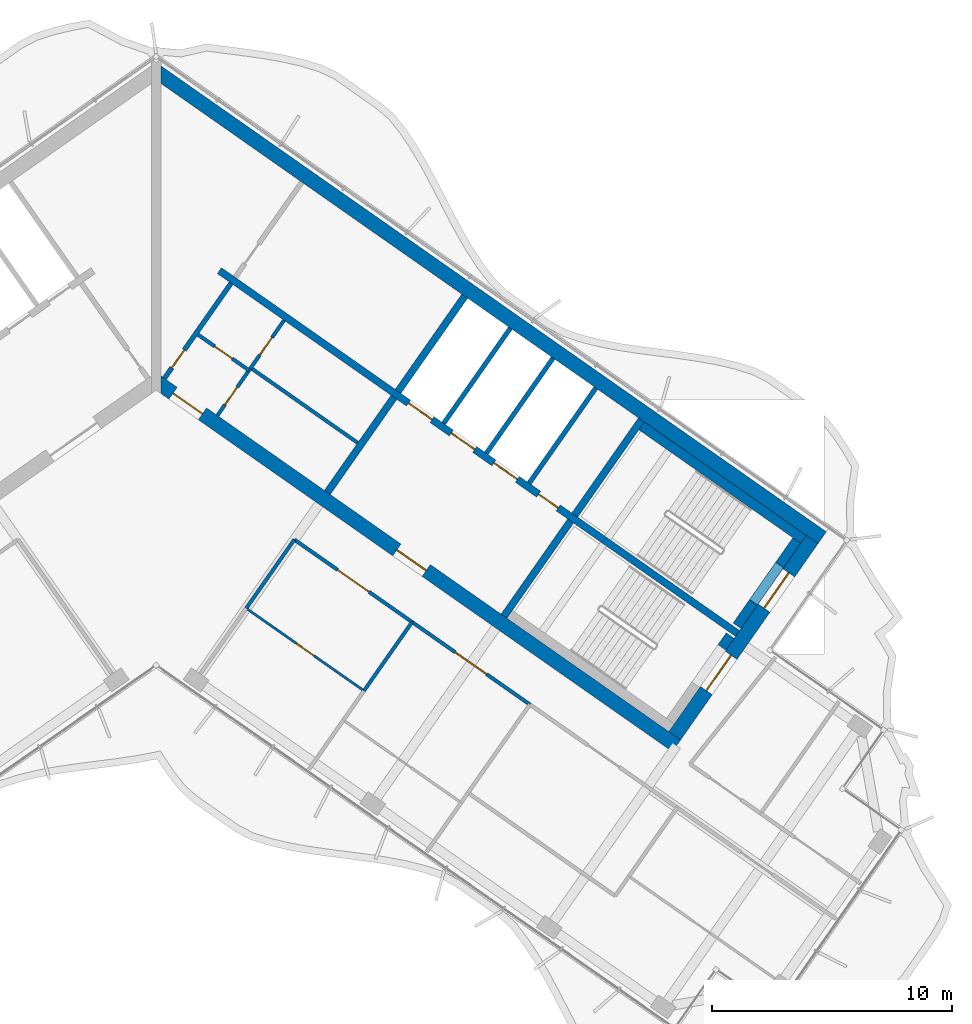
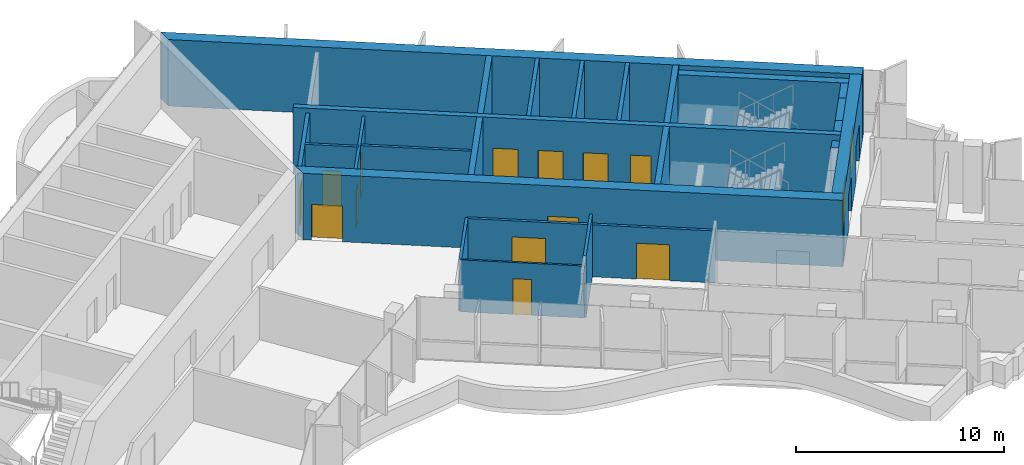
# One storey, part 11 of 18: 25 walls, 15 doors, 15 openings.
"""IFC4 building model written with IfcOpenShell, lengths in metres."""

from ifc_helpers import new_model, si_unit, direction, frame, frame_2d, origin, place, context, subcontext, project, spatial, polyline, rectangle, outline, extrude, material, layer, layer_set, type_object, element, fill, save


model = new_model("IFC4")

# Units and contexts
model_context = context("Model", 3, precision=1e-05, world=origin(), true_north=direction((0.0, 1.0)))
body_context = subcontext(model_context, "Body", "Model", "MODEL_VIEW")
ifc_project = project(units=[si_unit("LENGTHUNIT", "METRE"), si_unit("AREAUNIT", "SQUARE_METRE"), si_unit("VOLUMEUNIT", "CUBIC_METRE"), si_unit("PLANEANGLEUNIT", "RADIAN"), si_unit("MASSUNIT", "GRAM", prefix="KILO")], contexts=[model_context])

# Site, building, storey
site_placement = place(None, origin())
site = spatial("IfcSite", under=ifc_project, at=site_placement, CompositionType="ELEMENT")
building_placement = place(site_placement, origin())
building = spatial("IfcBuilding", under=site, at=building_placement, Name="Tel Ilan Convention Tower", CompositionType="ELEMENT")
storey_placement = place(building_placement, frame((0.0, 0.0, 260.5)))
storey = spatial("IfcBuildingStorey", under=building, at=storey_placement, Name="L61", CompositionType="ELEMENT", Elevation=260.5)

# Wall, openings, doors
ifc_material_1 = material(Name="Gypsum Plasterboard on Steel Stud", Category="steel")
ifc_layer_1 = layer(ifc_material_1, 0.14990234375)
ifc_layer_set_1 = layer_set([ifc_layer_1], Name="Core Room Partition Wall 150 mm EI 60")
wall_type_1 = type_object("IfcWallType", Name="Core Room Partition Wall 150 mm EI 60", PredefinedType="PARTITIONING", material=ifc_layer_set_1)
wall_1_placement = place(storey_placement, frame((2.5556640625, -2.27783203125, 0.0), z_axis=(0.0, 0.0, 1.0), x_axis=(0.573560315113, 0.819163332265, 0.0)))
wall_1 = element("IfcWall", 1, at=wall_1_placement, inside=storey, type_object=wall_type_1, Name="L61 core wall wc-v1", PredefinedType="PARTITIONING", context=body_context, shape_type="SweptSolid", body=[
    extrude(rectangle(XDim=4.849853515625, YDim=0.14990234375, at=frame_2d((2.4248046875, 0.0))), origin(), (0.0, 0.0, 1.0), 3.6201171875),
])
opening_1_placement = place(wall_1_placement, frame((0.550048828125, 0.0, 0.0)))
opening_1 = element("IfcOpeningElement", 2, at=opening_1_placement, cuts=wall_1, Name="Opening CD4611", PredefinedType="OPENING", context=body_context, shape_type="SweptSolid", body=[
    extrude(rectangle(XDim=0.89990234375, YDim=2.10009765625, at=frame_2d((0.449951171875, 1.050048828125))), frame((0.0, 0.0849609375, 0.0), z_axis=(0.0, -1.0, 0.0), x_axis=(1.0, 0.0, 0.0)), (0.0, 0.0, 1.0), 0.169921875),
])
opening_2_placement = place(wall_1_placement, frame((3.074951171875, 0.0, 0.0)))
opening_2 = element("IfcOpeningElement", 3, at=opening_2_placement, cuts=wall_1, Name="Opening CD4612", PredefinedType="OPENING", context=body_context, shape_type="SweptSolid", body=[
    extrude(rectangle(XDim=0.89990234375, YDim=2.10009765625, at=frame_2d((0.449951171875, 1.050048828125))), frame((0.0, 0.0849609375, 0.0), z_axis=(0.0, -1.0, 0.0), x_axis=(1.0, 0.0, 0.0)), (0.0, 0.0, 1.0), 0.169921875),
])
ifc_material_2 = material(Name="Laminated Timber Door Leaf", Category="wood")
door_type_1 = type_object("IfcDoorType", Name="Toilet Door 900 x 2100 FD30S", OperationType="NOTDEFINED", PredefinedType="DOOR", material=ifc_material_2)
door_1_placement = place(opening_1_placement, origin())
door_1 = element("IfcDoor", 4, at=door_1_placement, inside=storey, type_object=door_type_1, Name="Women's WC door", OperationType="SINGLE_SWING_RIGHT", OverallHeight=2.10009765625, OverallWidth=0.89990234375, PredefinedType="DOOR", context=body_context, shape_type="SweptSolid", body=[
    extrude(rectangle(XDim=0.89990234375, YDim=2.10009765625, at=frame_2d((0.449951171875, 1.050048828125))), frame((0.0, 0.02490234375, 0.0), z_axis=(0.0, -1.0, 0.0), x_axis=(1.0, 0.0, 0.0)), (0.0, 0.0, 1.0), 0.050048828125),
])
fill(opening_1, door_1)
door_2_placement = place(opening_2_placement, origin())
door_2 = element("IfcDoor", 5, at=door_2_placement, inside=storey, type_object=door_type_1, Name="Men's WC door", OperationType="SINGLE_SWING_RIGHT", OverallHeight=2.10009765625, OverallWidth=0.89990234375, PredefinedType="DOOR", context=body_context, shape_type="SweptSolid", body=[
    extrude(rectangle(XDim=0.89990234375, YDim=2.10009765625, at=frame_2d((0.449951171875, 1.050048828125))), frame((0.0, 0.02490234375, 0.0), z_axis=(0.0, -1.0, 0.0), x_axis=(1.0, 0.0, 0.0)), (0.0, 0.0, 1.0), 0.050048828125),
])
fill(opening_2, door_2)

# Wall, opening, door
wall_2_placement = place(storey_placement, frame((1.7451171875, 1.097412109375, 0.0), z_axis=(0.0, 0.0, 1.0), x_axis=(0.819178980414, -0.573537965655, 0.0)))
wall_2 = element("IfcWall", 6, at=wall_2_placement, inside=storey, type_object=wall_type_1, Name="L61 core wall wc-h1", PredefinedType="PARTITIONING", context=body_context, shape_type="SweptSolid", body=[
    extrude(rectangle(XDim=2.60009765625, YDim=0.14990234375, at=frame_2d((1.300048828125, 0.0))), origin(), (0.0, 0.0, 1.0), 3.6201171875),
])
opening_3_placement = place(wall_2_placement, frame((0.85009765625, 0.0, 0.0)))
opening_3 = element("IfcOpeningElement", 7, at=opening_3_placement, cuts=wall_2, Name="Opening CD4610", PredefinedType="OPENING", context=body_context, shape_type="SweptSolid", body=[
    extrude(rectangle(XDim=0.89990234375, YDim=2.10009765625, at=frame_2d((0.449951171875, 1.050048828125))), frame((0.0, 0.0849609375, 0.0), z_axis=(0.0, -1.0, 0.0), x_axis=(1.0, 0.0, 0.0)), (0.0, 0.0, 1.0), 0.169921875),
])
door_3_placement = place(opening_3_placement, origin())
door_3 = element("IfcDoor", 8, at=door_3_placement, inside=storey, type_object=door_type_1, Name="Accessible WC door", OperationType="SINGLE_SWING_RIGHT", OverallHeight=2.10009765625, OverallWidth=0.89990234375, PredefinedType="DOOR", context=body_context, shape_type="SweptSolid", body=[
    extrude(rectangle(XDim=0.89990234375, YDim=2.10009765625, at=frame_2d((0.449951171875, 1.050048828125))), frame((0.0, 0.02490234375, 0.0), z_axis=(0.0, -1.0, 0.0), x_axis=(1.0, 0.0, 0.0)), (0.0, 0.0, 1.0), 0.050048828125),
])
fill(opening_3, door_3)

# Wall
wall_3_placement = place(storey_placement, frame((3.946533203125, -0.29150390625, 0.0), z_axis=(0.0, 0.0, 1.0), x_axis=(0.819151939971, -0.573576585332, 0.0)))
element("IfcWall", 9, at=wall_3_placement, inside=storey, type_object=wall_type_1, Name="L61 core wall wc-h2", PredefinedType="PARTITIONING", context=body_context, shape_type="SweptSolid", body=[
    extrude(rectangle(XDim=5.449951171875, YDim=0.14990234375, at=frame_2d((2.72509765625, 0.0))), origin(), (0.0, 0.0, 1.0), 3.6201171875),
])

# Wall, opening, door
ifc_material_3 = material(Name="Concrete C30/37", Category="concrete")
ifc_layer_2 = layer(ifc_material_3, 0.199951171875)
ifc_layer_set_2 = layer_set([ifc_layer_2], Name="Core Service Room Wall 200 mm C30/37")
wall_type_2 = type_object("IfcWallType", Name="Core Service Room Wall 200 mm C30/37", PredefinedType="SOLIDWALL", material=ifc_layer_set_2)
wall_4_placement = place(storey_placement, frame((0.343994140625, -0.729248046875, 0.0), z_axis=(0.0, 0.0, 1.0), x_axis=(0.573560315113, 0.819163332265, 0.0)))
wall_4 = element("IfcWall", 10, at=wall_4_placement, inside=storey, type_object=wall_type_2, Name="L61 core wall apex-E", PredefinedType="SOLIDWALL", context=body_context, shape_type="SweptSolid", body=[
    extrude(rectangle(XDim=4.849853515625, YDim=0.199951171875, at=frame_2d((2.4248046875, 0.0))), origin(), (0.0, 0.0, 1.0), 3.6201171875),
])
opening_4_placement = place(wall_4_placement, frame((0.550048828125, 0.0, 0.0)))
opening_4 = element("IfcOpeningElement", 11, at=opening_4_placement, cuts=wall_4, Name="Opening CD4601", PredefinedType="OPENING", context=body_context, shape_type="SweptSolid", body=[
    extrude(rectangle(XDim=0.89990234375, YDim=2.10009765625, at=frame_2d((0.449951171875, 1.050048828125))), frame((0.0, 0.10986328125, 0.0), z_axis=(0.0, -1.0, 0.0), x_axis=(1.0, 0.0, 0.0)), (0.0, 0.0, 1.0), 0.219970703125),
])
ifc_material_4 = material(Name="Galvanised Steel Door Leaf", Category="steel")
door_type_2 = type_object("IfcDoorType", Name="Service Room Door 900 x 2100 FD60", OperationType="NOTDEFINED", PredefinedType="DOOR", material=ifc_material_4)
door_4_placement = place(opening_4_placement, origin())
door_4 = element("IfcDoor", 12, at=door_4_placement, inside=storey, type_object=door_type_2, Name="Store Room door", OperationType="SINGLE_SWING_RIGHT", OverallHeight=2.10009765625, OverallWidth=0.89990234375, PredefinedType="DOOR", context=body_context, shape_type="SweptSolid", body=[
    extrude(rectangle(XDim=0.89990234375, YDim=2.10009765625, at=frame_2d((0.449951171875, 1.050048828125))), frame((0.0, 0.02490234375, 0.0), z_axis=(0.0, -1.0, 0.0), x_axis=(1.0, 0.0, 0.0)), (0.0, 0.0, 1.0), 0.050048828125),
])
fill(opening_4, door_4)

# Walls
ifc_material_5 = material(Name="Concrete C40/50", Category="concrete")
ifc_layer_3 = layer(ifc_material_5, 0.300048828125)
ifc_layer_set_3 = layer_set([ifc_layer_3], Name="Core Shear Wall 300 mm C40/50")
wall_type_3 = type_object("IfcWallType", Name="Core Shear Wall 300 mm C40/50", PredefinedType="SHEAR", material=ifc_layer_set_3)
wall_5_placement = place(storey_placement, frame((7.142822265625, -5.48974609375, 0.0), z_axis=(0.0, 0.0, 1.0), x_axis=(0.573617744349, 0.819123118565, 0.0)))
element("IfcWall", 13, at=wall_5_placement, inside=storey, type_object=wall_type_3, Name="L61 core wall E-cross1-1", PredefinedType="SHEAR", context=body_context, shape_type="SweptSolid", body=[
    extrude(outline(polyline([(0.0, 0.14990234375), (0.0, -0.150146484375), (4.85009765625, -0.14990234375), (4.85009765625, 0.150146484375), (0.0, 0.14990234375)])), origin(), (0.0, 0.0, 1.0), 3.89990234375),
])
wall_6_placement = place(storey_placement, frame((10.096923828125, -1.271240234375, 0.0), z_axis=(0.0, 0.0, 1.0), x_axis=(0.573560315113, 0.819163332265, 0.0)))
element("IfcWall", 14, at=wall_6_placement, inside=storey, type_object=wall_type_3, Name="L61 core wall E-cross1-2", PredefinedType="SHEAR", context=body_context, shape_type="SweptSolid", body=[
    extrude(outline(polyline([(4.849853515625, -0.150146484375), (4.849853515625, 0.14990234375), (0.0, 0.150146484375), (0.0, -0.14990234375), (4.849853515625, -0.150146484375)])), origin(), (0.0, 0.0, 1.0), 3.89990234375),
])
wall_7_placement = place(storey_placement, frame((14.515380859375, -10.652099609375, 0.0), z_axis=(0.0, 0.0, 1.0), x_axis=(0.573560315113, 0.819163332265, 0.0)))
element("IfcWall", 15, at=wall_7_placement, inside=storey, type_object=wall_type_3, Name="L61 core wall E-cross2-1", PredefinedType="SHEAR", context=body_context, shape_type="SweptSolid", body=[
    extrude(outline(polyline([(0.0, 0.150146484375), (0.0, -0.14990234375), (4.85009765625, -0.14990234375), (4.85009765625, 0.14990234375), (0.0, 0.150146484375)])), origin(), (0.0, 0.0, 1.0), 3.89990234375),
])
wall_8_placement = place(storey_placement, frame((17.46923828125, -6.433349609375, 0.0), z_axis=(0.0, 0.0, 1.0), x_axis=(0.573594092424, 0.81913968109, 0.0)))
element("IfcWall", 16, at=wall_8_placement, inside=storey, type_object=wall_type_3, Name="L61 core wall E-cross2-2", PredefinedType="SHEAR", context=body_context, shape_type="SweptSolid", body=[
    extrude(outline(polyline([(4.849853515625, -0.14990234375), (4.849853515625, 0.150146484375), (0.0, 0.14990234375), (0.0, -0.14990234375), (4.849853515625, -0.14990234375)])), origin(), (0.0, 0.0, 1.0), 3.89990234375),
])

# Wall, openings, doors
wall_9_placement = place(storey_placement, frame((2.638427734375, 3.76806640625, 0.0), z_axis=(0.0, 0.0, 1.0), x_axis=(0.819155014212, -0.573572194837, 0.0)))
wall_9 = element("IfcWall", 17, at=wall_9_placement, inside=storey, type_object=wall_type_3, Name="L61 core wall E-spine", PredefinedType="SHEAR", context=body_context, shape_type="SweptSolid", body=[
    extrude(outline(polyline([(0.0, 0.150146484375), (0.0, -0.14990234375), (26.39990234375, -0.150146484375), (26.39990234375, 0.14990234375), (0.0, 0.150146484375)])), origin(), (0.0, 0.0, 1.0), 3.89990234375),
])
opening_5_placement = place(wall_9_placement, frame((9.637451171875, 0.0, 0.0)))
opening_5 = element("IfcOpeningElement", 18, at=opening_5_placement, cuts=wall_9, Name="Opening LD4601", PredefinedType="OPENING", context=body_context, shape_type="SweptSolid", body=[
    extrude(rectangle(XDim=1.199951171875, YDim=2.10009765625, at=frame_2d((0.60009765625, 1.050048828125))), frame((0.0, 0.159912109375, 0.0), z_axis=(0.0, -1.0, 0.0), x_axis=(1.0, 0.0, 0.0)), (0.0, 0.0, 1.0), 0.320068359375),
])
opening_6_placement = place(wall_9_placement, frame((11.8125, 0.0, 0.0)))
opening_6 = element("IfcOpeningElement", 19, at=opening_6_placement, cuts=wall_9, Name="Opening LD4602", PredefinedType="OPENING", context=body_context, shape_type="SweptSolid", body=[
    extrude(rectangle(XDim=1.199951171875, YDim=2.10009765625, at=frame_2d((0.60009765625, 1.050048828125))), frame((0.0, 0.159912109375, 0.0), z_axis=(0.0, -1.0, 0.0), x_axis=(1.0, 0.0, 0.0)), (0.0, 0.0, 1.0), 0.320068359375),
])
opening_7_placement = place(wall_9_placement, frame((13.987548828125, 0.0, 0.0)))
opening_7 = element("IfcOpeningElement", 20, at=opening_7_placement, cuts=wall_9, Name="Opening LD4603", PredefinedType="OPENING", context=body_context, shape_type="SweptSolid", body=[
    extrude(rectangle(XDim=1.199951171875, YDim=2.10009765625, at=frame_2d((0.60009765625, 1.050048828125))), frame((0.0, 0.159912109375, 0.0), z_axis=(0.0, -1.0, 0.0), x_axis=(1.0, 0.0, 0.0)), (0.0, 0.0, 1.0), 0.320068359375),
])
opening_8_placement = place(wall_9_placement, frame((16.262451171875, 0.0, 0.0)))
opening_8 = element("IfcOpeningElement", 21, at=opening_8_placement, cuts=wall_9, Name="Opening CD4608", PredefinedType="OPENING", context=body_context, shape_type="SweptSolid", body=[
    extrude(rectangle(XDim=1.0, YDim=2.10009765625, at=frame_2d((0.5, 1.050048828125))), frame((0.0, 0.159912109375, 0.0), z_axis=(0.0, -1.0, 0.0), x_axis=(1.0, 0.0, 0.0)), (0.0, 0.0, 1.0), 0.320068359375),
])
ifc_material_6 = material(Name="Stainless Steel Sliding Door Leaf", Category="steel")
door_type_3 = type_object("IfcDoorType", Name="Lift Landing Door 1200 x 2100 FD120", OperationType="NOTDEFINED", PredefinedType="DOOR", material=ifc_material_6)
door_5_placement = place(opening_5_placement, origin())
door_5 = element("IfcDoor", 22, at=door_5_placement, inside=storey, type_object=door_type_3, Name="Lift FL1 landing door", OperationType="SLIDING_TO_LEFT", OverallHeight=2.10009765625, OverallWidth=1.199951171875, PredefinedType="DOOR", context=body_context, shape_type="SweptSolid", body=[
    extrude(rectangle(XDim=1.199951171875, YDim=2.10009765625, at=frame_2d((0.60009765625, 1.050048828125))), frame((0.0, 0.02490234375, 0.0), z_axis=(0.0, -1.0, 0.0), x_axis=(1.0, 0.0, 0.0)), (0.0, 0.0, 1.0), 0.050048828125),
])
fill(opening_5, door_5)
door_6_placement = place(opening_6_placement, origin())
door_6 = element("IfcDoor", 23, at=door_6_placement, inside=storey, type_object=door_type_3, Name="Lift FL2 landing door", OperationType="SLIDING_TO_RIGHT", OverallHeight=2.10009765625, OverallWidth=1.199951171875, PredefinedType="DOOR", context=body_context, shape_type="SweptSolid", body=[
    extrude(rectangle(XDim=1.199951171875, YDim=2.10009765625, at=frame_2d((0.60009765625, 1.050048828125))), frame((0.0, 0.02490234375, 0.0), z_axis=(0.0, -1.0, 0.0), x_axis=(1.0, 0.0, 0.0)), (0.0, 0.0, 1.0), 0.050048828125),
])
fill(opening_6, door_6)
door_7_placement = place(opening_7_placement, origin())
door_7 = element("IfcDoor", 24, at=door_7_placement, inside=storey, type_object=door_type_3, Name="Lift FL3 landing door", OperationType="SLIDING_TO_LEFT", OverallHeight=2.10009765625, OverallWidth=1.199951171875, PredefinedType="DOOR", context=body_context, shape_type="SweptSolid", body=[
    extrude(rectangle(XDim=1.199951171875, YDim=2.10009765625, at=frame_2d((0.60009765625, 1.050048828125))), frame((0.0, 0.02490234375, 0.0), z_axis=(0.0, -1.0, 0.0), x_axis=(1.0, 0.0, 0.0)), (0.0, 0.0, 1.0), 0.050048828125),
])
fill(opening_7, door_7)
ifc_material_7 = material(Name="Galvanised Steel Door Leaf", Category="steel")
door_type_4 = type_object("IfcDoorType", Name="Service Room Door 1000 x 2100 FD60", OperationType="NOTDEFINED", PredefinedType="DOOR", material=ifc_material_7)
door_8_placement = place(opening_8_placement, origin())
door_8 = element("IfcDoor", 25, at=door_8_placement, inside=storey, type_object=door_type_4, Name="Plant Room door", OperationType="SINGLE_SWING_RIGHT", OverallHeight=2.10009765625, OverallWidth=1.0, PredefinedType="DOOR", context=body_context, shape_type="SweptSolid", body=[
    extrude(rectangle(XDim=1.0, YDim=2.10009765625, at=frame_2d((0.5, 1.050048828125))), frame((0.0, 0.02490234375, 0.0), z_axis=(0.0, -1.0, 0.0), x_axis=(1.0, 0.0, 0.0)), (0.0, 0.0, 1.0), 0.050048828125),
])
fill(opening_8, door_8)

# Wall
ifc_material_8 = material(Name="Concrete C40/50", Category="concrete")
ifc_layer_4 = layer(ifc_material_8, 0.60009765625)
ifc_layer_set_4 = layer_set([ifc_layer_4], Name="Core Shear Wall 600 mm C40/50")
wall_type_4 = type_object("IfcWallType", Name="Core Shear Wall 600 mm C40/50", PredefinedType="SHEAR", material=ifc_layer_set_4)
wall_10_placement = place(storey_placement, frame((0.02783203125, 12.066162109375, 0.0), z_axis=(0.0, 0.0, 1.0), x_axis=(0.819151382952, -0.573577380837, 0.0)))
element("IfcWall", 26, at=wall_10_placement, inside=storey, type_object=wall_type_4, Name="L61 core wall E-back", PredefinedType="SHEAR", context=body_context, shape_type="SweptSolid", body=[
    extrude(outline(polyline([(33.898193359375, 0.300048828125), (0.0, 0.300048828125), (0.420166015625, -0.300048828125), (33.89794921875, -0.300048828125), (33.898193359375, 0.300048828125)])), origin(), (0.0, 0.0, 1.0), 3.89990234375),
])

# Wall, openings, doors
wall_11_placement = place(storey_placement, frame((0.02783203125, -0.8740234375, 0.0), z_axis=(0.0, 0.0, 1.0), x_axis=(0.819150035022, -0.573579305871, 0.0)))
wall_11 = element("IfcWall", 27, at=wall_11_placement, inside=storey, type_object=wall_type_4, Name="L61 core wall E-front", PredefinedType="SHEAR", context=body_context, shape_type="SweptSolid", body=[
    extrude(outline(polyline([(26.475830078125, 0.300048828125), (0.000244140625, 0.300048828125), (0.420166015625, -0.300048828125), (26.475830078125, -0.2998046875), (26.475830078125, 0.300048828125)])), origin(), (0.0, 0.0, 1.0), 3.89990234375),
])
opening_9_placement = place(wall_11_placement, frame((0.82568359375, 0.0, 0.0)))
opening_9 = element("IfcOpeningElement", 28, at=opening_9_placement, cuts=wall_11, Name="Opening CD4604", PredefinedType="OPENING", context=body_context, shape_type="SweptSolid", body=[
    extrude(rectangle(XDim=1.5, YDim=2.10009765625, at=frame_2d((0.75, 1.050048828125))), frame((0.0, 0.31005859375, 0.0), z_axis=(0.0, -1.0, 0.0), x_axis=(1.0, 0.0, 0.0)), (0.0, 0.0, 1.0), 0.6201171875),
])
opening_10_placement = place(wall_11_placement, frame((12.225830078125, 0.0, 0.0)))
opening_10 = element("IfcOpeningElement", 29, at=opening_10_placement, cuts=wall_11, Name="Opening CD4605", PredefinedType="OPENING", context=body_context, shape_type="SweptSolid", body=[
    extrude(rectangle(XDim=1.5, YDim=2.10009765625, at=frame_2d((0.75, 1.050048828125))), frame((0.0, 0.31005859375, 0.0), z_axis=(0.0, -1.0, 0.0), x_axis=(1.0, 0.0, 0.0)), (0.0, 0.0, 1.0), 0.6201171875),
])
ifc_material_9 = material(Name="Glazed Aluminium Door Leaf", Category="aluminium")
door_type_5 = type_object("IfcDoorType", Name="Lobby Opening Door 1500 x 2100 FD60S", OperationType="NOTDEFINED", PredefinedType="DOOR", material=ifc_material_9)
door_9_placement = place(opening_10_placement, origin())
door_9 = element("IfcDoor", 30, at=door_9_placement, inside=storey, type_object=door_type_5, Name="Firefighting Lobby door", OperationType="DOUBLE_DOOR_SINGLE_SWING", OverallHeight=2.10009765625, OverallWidth=1.5, PredefinedType="DOOR", context=body_context, shape_type="SweptSolid", body=[
    extrude(rectangle(XDim=1.5, YDim=2.10009765625, at=frame_2d((0.75, 1.050048828125))), frame((0.0, 0.02490234375, 0.0), z_axis=(0.0, -1.0, 0.0), x_axis=(1.0, 0.0, 0.0)), (0.0, 0.0, 1.0), 0.050048828125),
])
fill(opening_10, door_9)
ifc_material_10 = material(Name="Laminated Timber Door Leaf", Category="wood")
door_type_6 = type_object("IfcDoorType", Name="Toilet Door 1500 x 2100 FD30S", OperationType="NOTDEFINED", PredefinedType="DOOR", material=ifc_material_10)
door_10_placement = place(opening_9_placement, origin())
door_10 = element("IfcDoor", 31, at=door_10_placement, inside=storey, type_object=door_type_6, Name="WC Lobby door", OperationType="SINGLE_SWING_RIGHT", OverallHeight=2.10009765625, OverallWidth=1.5, PredefinedType="DOOR", context=body_context, shape_type="SweptSolid", body=[
    extrude(rectangle(XDim=1.5, YDim=2.10009765625, at=frame_2d((0.75, 1.050048828125))), frame((0.0, 0.02490234375, 0.0), z_axis=(0.0, -1.0, 0.0), x_axis=(1.0, 0.0, 0.0)), (0.0, 0.0, 1.0), 0.050048828125),
])
fill(opening_9, door_10)

wall_12_placement = place(storey_placement, frame((21.641845703125, -15.64208984375, 0.0), z_axis=(0.0, 0.0, 1.0), x_axis=(0.573586866468, 0.819144740944, 0.0)))
wall_12 = element("IfcWall", 32, at=wall_12_placement, inside=storey, type_object=wall_type_4, Name="L61 core wall E-end", PredefinedType="SHEAR", context=body_context, shape_type="SweptSolid", body=[
    extrude(outline(polyline([(10.0, 0.300048828125), (0.0, 0.2998046875), (0.0, -0.300048828125), (10.0, -0.300048828125), (10.0, 0.300048828125)])), origin(), (0.0, 0.0, 1.0), 3.89990234375),
])
opening_11_placement = place(wall_12_placement, frame((6.5, 0.0, 0.0)))
opening_11 = element("IfcOpeningElement", 33, at=opening_11_placement, cuts=wall_12, Name="Opening SD4603", PredefinedType="OPENING", context=body_context, shape_type="SweptSolid", body=[
    extrude(rectangle(XDim=1.800048828125, YDim=2.10009765625, at=frame_2d((0.89990234375, 1.050048828125))), frame((0.0, 0.31005859375, 0.0), z_axis=(0.0, -1.0, 0.0), x_axis=(1.0, 0.0, 0.0)), (0.0, 0.0, 1.0), 0.6201171875),
])
opening_12_placement = place(wall_12_placement, frame((2.300048828125, 0.0, 0.0)))
opening_12 = element("IfcOpeningElement", 34, at=opening_12_placement, cuts=wall_12, Name="Opening SD4604", PredefinedType="OPENING", context=body_context, shape_type="SweptSolid", body=[
    extrude(rectangle(XDim=1.800048828125, YDim=2.10009765625, at=frame_2d((0.89990234375, 1.050048828125))), frame((0.0, 0.31005859375, 0.0), z_axis=(0.0, -1.0, 0.0), x_axis=(1.0, 0.0, 0.0)), (0.0, 0.0, 1.0), 0.6201171875),
])
ifc_material_11 = material(Name="Galvanised Steel Door Leaf", Category="steel")
door_type_7 = type_object("IfcDoorType", Name="Stair Fire Door 1800 x 2100 FD60S", OperationType="NOTDEFINED", PredefinedType="DOOR", material=ifc_material_11)
door_11_placement = place(opening_11_placement, origin())
door_11 = element("IfcDoor", 35, at=door_11_placement, inside=storey, type_object=door_type_7, Name="Stair S3 door", OperationType="DOUBLE_DOOR_SINGLE_SWING", OverallHeight=2.10009765625, OverallWidth=1.800048828125, PredefinedType="DOOR", context=body_context, shape_type="SweptSolid", body=[
    extrude(rectangle(XDim=1.800048828125, YDim=2.10009765625, at=frame_2d((0.89990234375, 1.050048828125))), frame((0.0, 0.02490234375, 0.0), z_axis=(0.0, -1.0, 0.0), x_axis=(1.0, 0.0, 0.0)), (0.0, 0.0, 1.0), 0.050048828125),
])
fill(opening_11, door_11)
door_12_placement = place(opening_12_placement, origin())
door_12 = element("IfcDoor", 36, at=door_12_placement, inside=storey, type_object=door_type_7, Name="Stair S4 door", OperationType="DOUBLE_DOOR_SINGLE_SWING", OverallHeight=2.10009765625, OverallWidth=1.800048828125, PredefinedType="DOOR", context=body_context, shape_type="SweptSolid", body=[
    extrude(rectangle(XDim=1.800048828125, YDim=2.10009765625, at=frame_2d((0.89990234375, 1.050048828125))), frame((0.0, 0.02490234375, 0.0), z_axis=(0.0, -1.0, 0.0), x_axis=(1.0, 0.0, 0.0)), (0.0, 0.0, 1.0), 0.050048828125),
])
fill(opening_12, door_12)

# Wall, opening, door
ifc_material_12 = material(Name="Plasterboard on Steel Studs", Category="steel")
ifc_layer_5 = layer(ifc_material_12, 0.14990234375)
ifc_layer_set_5 = layer_set([ifc_layer_5], Name="Fire-rated Partition 150 EI 60")
wall_type_5 = type_object("IfcWallType", Name="Fire-rated Partition 150 EI 60", PredefinedType="PARTITIONING", material=ifc_layer_set_5)
wall_13_placement = place(storey_placement, frame((10.682861328125, -10.8984375, 0.0), z_axis=(0.0, 0.0, 1.0), x_axis=(-0.819147828287, 0.573582457378, 0.0)))
wall_13 = element("IfcWall", 37, at=wall_13_placement, inside=storey, type_object=wall_type_5, Name="Partition 003", PredefinedType="PARTITIONING", context=body_context, shape_type="SweptSolid", body=[
    extrude(rectangle(XDim=6.001953125, YDim=0.14990234375, at=frame_2d((3.0009765625, 0.0))), origin(), (0.0, 0.0, 1.0), 3.050048828125),
])
opening_13_placement = place(wall_13_placement, frame((2.200927734375, 0.0, 0.0)))
opening_13 = element("IfcOpeningElement", 38, at=opening_13_placement, cuts=wall_13, Name="Opening L59-007", PredefinedType="OPENING", context=body_context, shape_type="SweptSolid", body=[
    extrude(rectangle(XDim=1.60009765625, YDim=2.10009765625, at=frame_2d((0.800048828125, 1.050048828125))), frame((0.0, 0.0849609375, 0.0), z_axis=(0.0, -1.0, 0.0), x_axis=(1.0, 0.0, 0.0)), (0.0, 0.0, 1.0), 0.169921875),
])
ifc_material_13 = material(Name="Timber Door Leaf in Steel Frame", Category="steel")
door_type_8 = type_object("IfcDoorType", Name="Tenant Suite Entrance Fire Door 1600x2100", OperationType="NOTDEFINED", PredefinedType="DOOR", material=ifc_material_13)
door_13_placement = place(opening_13_placement, origin())
door_13 = element("IfcDoor", 39, at=door_13_placement, inside=storey, type_object=door_type_8, Name="Door L59-007", OperationType="DOUBLE_DOOR_SINGLE_SWING", OverallHeight=2.10009765625, OverallWidth=1.60009765625, PredefinedType="DOOR", context=body_context, shape_type="SweptSolid", body=[
    extrude(rectangle(XDim=1.60009765625, YDim=2.10009765625, at=frame_2d((0.800048828125, 1.050048828125))), frame((0.0, 0.02490234375, 0.0), z_axis=(0.0, -1.0, 0.0), x_axis=(1.0, 0.0, 0.0)), (0.0, 0.0, 1.0), 0.050048828125),
])
fill(opening_13, door_13)

wall_14_placement = place(storey_placement, frame((15.597900390625, -14.33984375, 0.0), z_axis=(0.0, 0.0, 1.0), x_axis=(-0.819145946981, 0.573585144111, 0.0)))
wall_14 = element("IfcWall", 40, at=wall_14_placement, inside=storey, type_object=wall_type_5, Name="Partition 004", PredefinedType="PARTITIONING", context=body_context, shape_type="SweptSolid", body=[
    extrude(rectangle(XDim=6.004150390625, YDim=0.14990234375, at=frame_2d((3.001953125, 0.0))), origin(), (0.0, 0.0, 1.0), 3.050048828125),
])
opening_14_placement = place(wall_14_placement, frame((2.201904296875, 0.0, 0.0)))
opening_14 = element("IfcOpeningElement", 41, at=opening_14_placement, cuts=wall_14, Name="Opening L59-009", PredefinedType="OPENING", context=body_context, shape_type="SweptSolid", body=[
    extrude(rectangle(XDim=1.60009765625, YDim=2.10009765625, at=frame_2d((0.800048828125, 1.050048828125))), frame((0.0, 0.0849609375, 0.0), z_axis=(0.0, -1.0, 0.0), x_axis=(1.0, 0.0, 0.0)), (0.0, 0.0, 1.0), 0.169921875),
])
door_14_placement = place(opening_14_placement, origin())
door_14 = element("IfcDoor", 42, at=door_14_placement, inside=storey, type_object=door_type_8, Name="Door L59-009", OperationType="DOUBLE_DOOR_SINGLE_SWING", OverallHeight=2.10009765625, OverallWidth=1.60009765625, PredefinedType="DOOR", context=body_context, shape_type="SweptSolid", body=[
    extrude(rectangle(XDim=1.60009765625, YDim=2.10009765625, at=frame_2d((0.800048828125, 1.050048828125))), frame((0.0, 0.02490234375, 0.0), z_axis=(0.0, -1.0, 0.0), x_axis=(1.0, 0.0, 0.0)), (0.0, 0.0, 1.0), 0.050048828125),
])
fill(opening_14, door_14)

# Walls
wall_15_placement = place(storey_placement, frame((10.681396484375, -10.897216796875, 0.0), z_axis=(0.0, 0.0, 1.0), x_axis=(-0.573612130335, -0.819127049933, 0.0)))
element("IfcWall", 43, at=wall_15_placement, inside=storey, type_object=wall_type_5, Name="Partition 017", PredefinedType="PARTITIONING", context=body_context, shape_type="SweptSolid", body=[
    extrude(rectangle(XDim=3.500244140625, YDim=0.14990234375, at=frame_2d((1.75, 0.0))), origin(), (0.0, 0.0, 1.0), 3.6201171875),
])
wall_16_placement = place(storey_placement, frame((3.7587890625, -10.32275390625, 0.0), z_axis=(0.0, 0.0, 1.0), x_axis=(0.573598101901, 0.81913687348, 0.0)))
element("IfcWall", 44, at=wall_16_placement, inside=storey, type_object=wall_type_5, Name="Partition 018", PredefinedType="PARTITIONING", context=body_context, shape_type="SweptSolid", body=[
    extrude(rectangle(XDim=3.5, YDim=0.14990234375, at=frame_2d((1.75, 0.0))), origin(), (0.0, 0.0, 1.0), 3.050048828125),
])
ifc_material_14 = material(Name="Concrete C30/37", Category="concrete")
ifc_layer_6 = layer(ifc_material_14, 0.199951171875)
ifc_layer_set_6 = layer_set([ifc_layer_6], Name="Lift Shaft Wall 200 mm C30/37")
wall_type_6 = type_object("IfcWallType", Name="Lift Shaft Wall 200 mm C30/37", PredefinedType="SOLIDWALL", material=ifc_layer_set_6)
wall_17_placement = place(storey_placement, frame((12.00146484375, -2.604736328125, 0.0), z_axis=(0.0, 0.0, 1.0), x_axis=(0.573560315113, 0.819163332265, 0.0)))
element("IfcWall", 45, at=wall_17_placement, inside=storey, type_object=wall_type_6, Name="L61 core wall bank-E2-p0", PredefinedType="SOLIDWALL", context=body_context, shape_type="SweptSolid", body=[
    extrude(rectangle(XDim=4.849853515625, YDim=0.199951171875, at=frame_2d((2.4248046875, 0.0))), origin(), (0.0, 0.0, 1.0), 3.89990234375),
])
wall_18_placement = place(storey_placement, frame((13.782958984375, -3.852294921875, 0.0), z_axis=(0.0, 0.0, 1.0), x_axis=(0.573594092424, 0.81913968109, 0.0)))
element("IfcWall", 46, at=wall_18_placement, inside=storey, type_object=wall_type_6, Name="L61 core wall bank-E2-p1", PredefinedType="SOLIDWALL", context=body_context, shape_type="SweptSolid", body=[
    extrude(rectangle(XDim=4.85009765625, YDim=0.199951171875, at=frame_2d((2.425048828125, 0.0))), origin(), (0.0, 0.0, 1.0), 3.89990234375),
])
wall_19_placement = place(storey_placement, frame((15.564697265625, -5.099853515625, 0.0), z_axis=(0.0, 0.0, 1.0), x_axis=(0.573560315113, 0.819163332265, 0.0)))
element("IfcWall", 47, at=wall_19_placement, inside=storey, type_object=wall_type_6, Name="L61 core wall bank-E2-p2", PredefinedType="SOLIDWALL", context=body_context, shape_type="SweptSolid", body=[
    extrude(rectangle(XDim=4.849853515625, YDim=0.199951171875, at=frame_2d((2.4248046875, 0.0))), origin(), (0.0, 0.0, 1.0), 3.89990234375),
])

# Wall, opening, door
ifc_material_15 = material(Name="Plasterboard on Steel Studs", Category="steel")
ifc_layer_7 = layer(ifc_material_15, 0.10009765625)
ifc_layer_set_7 = layer_set([ifc_layer_7], Name="Plasterboard Partition 100")
wall_type_7 = type_object("IfcWallType", Name="Plasterboard Partition 100", PredefinedType="PARTITIONING", material=ifc_layer_set_7)
wall_20_placement = place(storey_placement, frame((8.673095703125, -13.76513671875, 0.0), z_axis=(0.0, 0.0, 1.0), x_axis=(-0.819149710902, 0.573579768758, 0.0)))
wall_20 = element("IfcWall", 48, at=wall_20_placement, inside=storey, type_object=wall_type_7, Name="Partition 013", PredefinedType="PARTITIONING", context=body_context, shape_type="SweptSolid", body=[
    extrude(rectangle(XDim=5.999755859375, YDim=0.10009765625, at=frame_2d((3.0, 0.0))), origin(), (0.0, 0.0, 1.0), 3.050048828125),
])
opening_15_placement = place(wall_20_placement, frame((2.550048828125, 0.0, 0.0)))
opening_15 = element("IfcOpeningElement", 49, at=opening_15_placement, cuts=wall_20, Name="Opening L59-008", PredefinedType="OPENING", context=body_context, shape_type="SweptSolid", body=[
    extrude(rectangle(XDim=0.89990234375, YDim=2.10009765625, at=frame_2d((0.449951171875, 1.050048828125))), frame((0.0, 0.06005859375, 0.0), z_axis=(0.0, -1.0, 0.0), x_axis=(1.0, 0.0, 0.0)), (0.0, 0.0, 1.0), 0.1201171875),
])
ifc_material_16 = material(Name="Timber Door Leaf in Steel Frame", Category="steel")
door_type_9 = type_object("IfcDoorType", Name="Room Timber Door 900x2100", OperationType="NOTDEFINED", PredefinedType="DOOR", material=ifc_material_16)
door_15_placement = place(opening_15_placement, origin())
door_15 = element("IfcDoor", 50, at=door_15_placement, inside=storey, type_object=door_type_9, Name="Door L59-008", OperationType="SINGLE_SWING_RIGHT", OverallHeight=2.10009765625, OverallWidth=0.89990234375, PredefinedType="DOOR", context=body_context, shape_type="SweptSolid", body=[
    extrude(rectangle(XDim=0.89990234375, YDim=2.10009765625, at=frame_2d((0.449951171875, 1.050048828125))), frame((0.0, 0.02490234375, 0.0), z_axis=(0.0, -1.0, 0.0), x_axis=(1.0, 0.0, 0.0)), (0.0, 0.0, 1.0), 0.050048828125),
])
fill(opening_15, door_15)

# Walls
ifc_material_17 = material(Name="Concrete C30/37", Category="concrete")
ifc_layer_8 = layer(ifc_material_17, 0.39990234375)
ifc_layer_set_8 = layer_set([ifc_layer_8], Name="Stair and Shaft Lining Wall 400 mm C30/37")
wall_type_8 = type_object("IfcWallType", Name="Stair and Shaft Lining Wall 400 mm C30/37", PredefinedType="SOLIDWALL", material=ifc_layer_set_8)
wall_21_placement = place(storey_placement, frame((20.25927734375, -2.71044921875, 0.0), z_axis=(0.0, 0.0, 1.0), x_axis=(0.81914849389, -0.573581506813, 0.0)))
element("IfcWall", 51, at=wall_21_placement, inside=storey, type_object=wall_type_8, Name="L61 core wall lining-S3-t1", PredefinedType="SOLIDWALL", context=body_context, shape_type="SweptSolid", body=[
    extrude(rectangle(XDim=8.249755859375, YDim=0.39990234375, at=frame_2d((4.125, 0.0))), origin(), (0.0, 0.0, 1.0), 3.6201171875),
])
wall_22_placement = place(storey_placement, frame((24.24365234375, -11.0546875, 0.0), z_axis=(0.0, 0.0, 1.0), x_axis=(0.573571582932, 0.819155442668, 0.0)))
element("IfcWall", 52, at=wall_22_placement, inside=storey, type_object=wall_type_8, Name="L61 core wall lining-S3-u1-0", PredefinedType="SOLIDWALL", context=body_context, shape_type="SweptSolid", body=[
    extrude(rectangle(XDim=1.199951171875, YDim=0.39990234375, at=frame_2d((0.60009765625, 0.0))), origin(), (0.0, 0.0, 1.0), 3.6201171875),
])
wall_23_placement = place(storey_placement, frame((26.021728515625, -8.515380859375, 0.0), z_axis=(0.0, 0.0, 1.0), x_axis=(0.573619628835, 0.819121798889, 0.0)))
element("IfcWall", 53, at=wall_23_placement, inside=storey, type_object=wall_type_8, Name="L61 core wall lining-S3-u1-1", PredefinedType="SOLIDWALL", context=body_context, shape_type="SweptSolid", body=[
    extrude(rectangle(XDim=1.25, YDim=0.39990234375, at=frame_2d((0.625, 0.0))), origin(), (0.0, 0.0, 1.0), 3.6201171875),
])
wall_24_placement = place(storey_placement, frame((24.931884765625, -10.07177734375, 2.14990234375), z_axis=(0.0, 0.0, 1.0), x_axis=(0.573591692345, 0.819141361715, 0.0)))
element("IfcWall", 54, at=wall_24_placement, inside=storey, type_object=wall_type_8, Name="L61 core wall lining-S3-u1-lintel", PredefinedType="SOLIDWALL", context=body_context, shape_type="SweptSolid", body=[
    extrude(rectangle(XDim=1.900146484375, YDim=0.39990234375, at=frame_2d((0.9501953125, 0.0))), origin(), (0.0, 0.0, 1.0), 1.47021484375),
])
wall_25_placement = place(storey_placement, frame((23.61279296875, -11.955810546875, 0.0), z_axis=(0.0, 0.0, 1.0), x_axis=(0.573435029941, 0.819251039936, 0.0)))
element("IfcWall", 55, at=wall_25_placement, inside=storey, type_object=wall_type_8, Name="L61 core wall lining-S4-u1-1", PredefinedType="SOLIDWALL", context=body_context, shape_type="SweptSolid", body=[
    extrude(rectangle(XDim=0.599853515625, YDim=0.39990234375, at=frame_2d((0.2998046875, 0.0))), origin(), (0.0, 0.0, 1.0), 3.6201171875),
])

save(model, "model.ifc")
